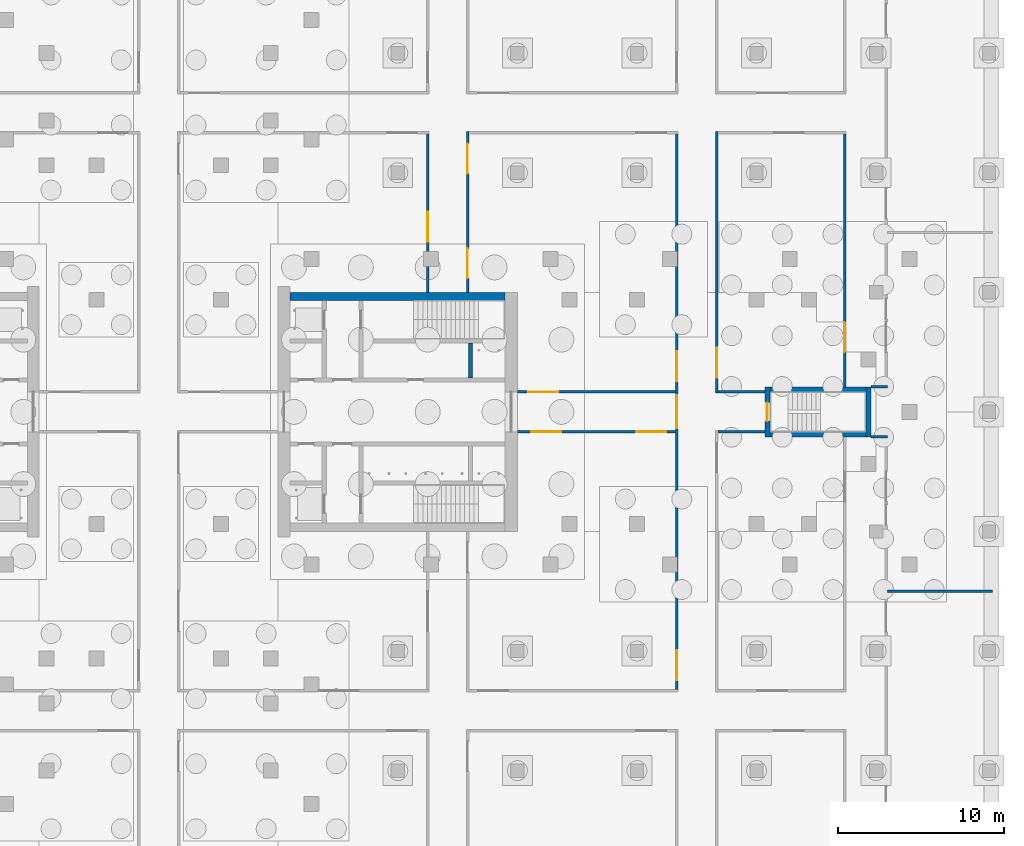
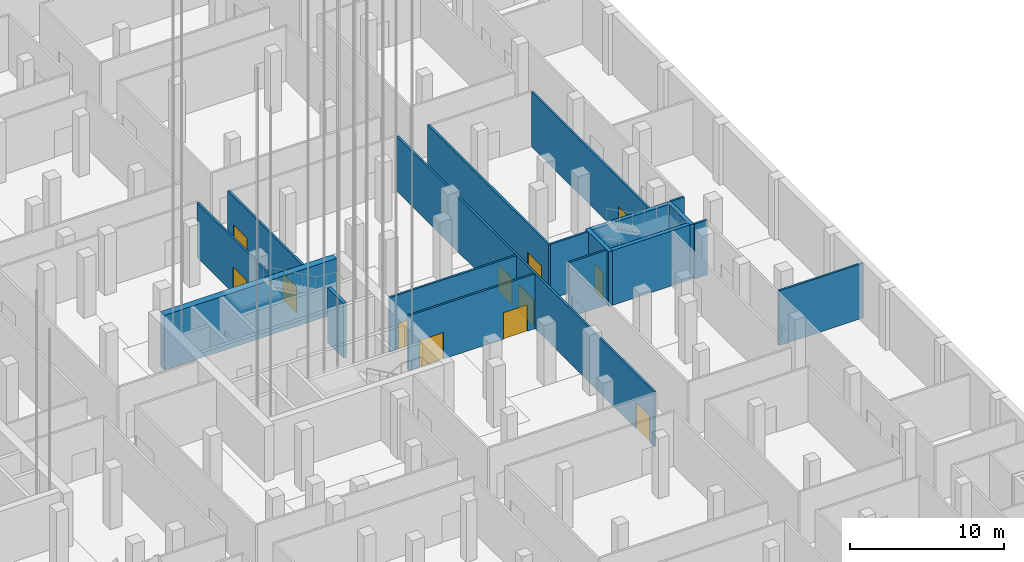
# One storey, part 14 of 54: 18 walls, 12 doors, 12 openings.
"""IFC4 building model written with IfcOpenShell, lengths in metres."""

from ifc_helpers import new_model, si_unit, direction, frame, frame_2d, origin, place, context, subcontext, project, spatial, rectangle, extrude, material, layer, layer_set, type_object, element, fill, save


model = new_model("IFC4")

# Units and contexts
model_context = context("Model", 3, precision=1e-05, world=origin(), true_north=direction((0.0, 1.0)))
body_context = subcontext(model_context, "Body", "Model", "MODEL_VIEW")
ifc_project = project(units=[si_unit("LENGTHUNIT", "METRE"), si_unit("AREAUNIT", "SQUARE_METRE"), si_unit("VOLUMEUNIT", "CUBIC_METRE"), si_unit("PLANEANGLEUNIT", "RADIAN"), si_unit("MASSUNIT", "GRAM", prefix="KILO")], contexts=[model_context])

# Site, building, storey
site_placement = place(None, origin())
site = spatial("IfcSite", under=ifc_project, at=site_placement, CompositionType="ELEMENT")
building_placement = place(site_placement, origin())
building = spatial("IfcBuilding", under=site, at=building_placement, Name="Fustian Cross Tower", CompositionType="ELEMENT")
storey_placement = place(building_placement, frame((0.0, 0.0, -4.800048828125)))
storey = spatial("IfcBuildingStorey", under=building, at=storey_placement, Name="B1", CompositionType="ELEMENT", Elevation=-4.800048828125)

# Wall, opening, door
ifc_material_1 = material(Name="Plasterboard on steel stud", Category="steel")
ifc_layer_1 = layer(ifc_material_1, 0.14990234375)
ifc_layer_set_1 = layer_set([ifc_layer_1], Name="Plasterboard on steel stud")
wall_type_1 = type_object("IfcWallType", Name="COMPARTMENT WALL 150 EI 60", PredefinedType="PARTITIONING", material=ifc_layer_set_1)
wall_1_placement = place(storey_placement, frame((16.199951171875, 7.199951171875, 0.0), z_axis=(0.0, 0.0, 1.0), x_axis=(0.0, 1.0, 0.0)))
wall_1 = element("IfcWall", 1, at=wall_1_placement, inside=storey, type_object=wall_type_1, Name="Partition 127", PredefinedType="PARTITIONING", context=body_context, shape_type="SweptSolid", body=[
    extrude(rectangle(XDim=9.525146484375, YDim=0.14990234375, at=frame_2d((4.7626953125, 0.0))), origin(), (0.0, 0.0, 1.0), 4.35009765625),
])
opening_1_placement = place(wall_1_placement, frame((3.050048828125, 0.0, 0.0)))
opening_1 = element("IfcOpeningElement", 2, at=opening_1_placement, cuts=wall_1, Name="Opening D01051", PredefinedType="OPENING", context=body_context, shape_type="SweptSolid", body=[
    extrude(rectangle(XDim=1.800048828125, YDim=2.10009765625, at=frame_2d((0.89990234375, 1.050048828125))), frame((0.0, 0.0849609375, 0.0), z_axis=(0.0, -1.0, 0.0), x_axis=(1.0, 0.0, 0.0)), (0.0, 0.0, 1.0), 0.169921875),
])
ifc_material_2 = material(Name="Timber fire door set", Category="wood")
door_type_1 = type_object("IfcDoorType", Name="FIRE DOUBLE DOOR 1800 FD60S", OperationType="DOUBLE_DOOR_DOUBLE_SWING", PredefinedType="DOOR", material=ifc_material_2)
door_1_placement = place(opening_1_placement, frame((1.800048828125, 0.0, 0.0), z_axis=(0.0, 0.0, 1.0), x_axis=(-1.0, 0.0, 0.0)))
door_1 = element("IfcDoor", 3, at=door_1_placement, inside=storey, type_object=door_type_1, Name="Door D01051", OperationType="DOUBLE_DOOR_DOUBLE_SWING", OverallHeight=2.10009765625, OverallWidth=1.800048828125, PredefinedType="DOOR", context=body_context, shape_type="SweptSolid", body=[
    extrude(rectangle(XDim=1.800048828125, YDim=2.10009765625, at=frame_2d((0.89990234375, 1.050048828125))), frame((0.0, 0.02490234375, 0.0), z_axis=(0.0, -1.0, 0.0), x_axis=(1.0, 0.0, 0.0)), (0.0, 0.0, 1.0), 0.050048828125),
])
fill(opening_1, door_1)

# Wall, openings, doors
wall_2_placement = place(storey_placement, frame((18.60009765625, 7.199951171875, 0.0), z_axis=(0.0, 0.0, 1.0), x_axis=(0.0, 1.0, 0.0)))
wall_2 = element("IfcWall", 4, at=wall_2_placement, inside=storey, type_object=wall_type_1, Name="Partition 138", PredefinedType="PARTITIONING", context=body_context, shape_type="SweptSolid", body=[
    extrude(rectangle(XDim=9.675048828125, YDim=0.14990234375, at=frame_2d((4.83740234375, 0.0))), origin(), (0.0, 0.0, 1.0), 4.35009765625),
])
opening_2_placement = place(wall_2_placement, frame((0.85009765625, 0.0, 0.0)))
opening_2 = element("IfcOpeningElement", 5, at=opening_2_placement, cuts=wall_2, Name="Opening D01052", PredefinedType="OPENING", context=body_context, shape_type="SweptSolid", body=[
    extrude(rectangle(XDim=1.800048828125, YDim=2.10009765625, at=frame_2d((0.89990234375, 1.050048828125))), frame((0.0, 0.0849609375, 0.0), z_axis=(0.0, -1.0, 0.0), x_axis=(1.0, 0.0, 0.0)), (0.0, 0.0, 1.0), 0.169921875),
])
opening_3_placement = place(wall_2_placement, frame((7.14990234375, 0.0, 0.0)))
opening_3 = element("IfcOpeningElement", 6, at=opening_3_placement, cuts=wall_2, Name="Opening D01053", PredefinedType="OPENING", context=body_context, shape_type="SweptSolid", body=[
    extrude(rectangle(XDim=1.800048828125, YDim=2.10009765625, at=frame_2d((0.89990234375, 1.050048828125))), frame((0.0, 0.0849609375, 0.0), z_axis=(0.0, -1.0, 0.0), x_axis=(1.0, 0.0, 0.0)), (0.0, 0.0, 1.0), 0.169921875),
])
door_2_placement = place(opening_2_placement, origin())
door_2 = element("IfcDoor", 7, at=door_2_placement, inside=storey, type_object=door_type_1, Name="Door D01052", OperationType="DOUBLE_DOOR_DOUBLE_SWING", OverallHeight=2.10009765625, OverallWidth=1.800048828125, PredefinedType="DOOR", context=body_context, shape_type="SweptSolid", body=[
    extrude(rectangle(XDim=1.800048828125, YDim=2.10009765625, at=frame_2d((0.89990234375, 1.050048828125))), frame((0.0, 0.02490234375, 0.0), z_axis=(0.0, -1.0, 0.0), x_axis=(1.0, 0.0, 0.0)), (0.0, 0.0, 1.0), 0.050048828125),
])
fill(opening_2, door_2)
door_3_placement = place(opening_3_placement, origin())
door_3 = element("IfcDoor", 8, at=door_3_placement, inside=storey, type_object=door_type_1, Name="Door D01053", OperationType="DOUBLE_DOOR_DOUBLE_SWING", OverallHeight=2.10009765625, OverallWidth=1.800048828125, PredefinedType="DOOR", context=body_context, shape_type="SweptSolid", body=[
    extrude(rectangle(XDim=1.800048828125, YDim=2.10009765625, at=frame_2d((0.89990234375, 1.050048828125))), frame((0.0, 0.02490234375, 0.0), z_axis=(0.0, -1.0, 0.0), x_axis=(1.0, 0.0, 0.0)), (0.0, 0.0, 1.0), 0.050048828125),
])
fill(opening_3, door_3)

wall_3_placement = place(storey_placement, frame((21.60009765625, -1.199951171875, 0.0), z_axis=(0.0, 0.0, 1.0), x_axis=(1.0, 0.0, 0.0)))
wall_3 = element("IfcWall", 9, at=wall_3_placement, inside=storey, type_object=wall_type_1, Name="Partition 146", PredefinedType="PARTITIONING", context=body_context, shape_type="SweptSolid", body=[
    extrude(rectangle(XDim=9.52490234375, YDim=0.14990234375, at=frame_2d((4.762451171875, 0.0))), origin(), (0.0, 0.0, 1.0), 4.35009765625),
])
opening_4_placement = place(wall_3_placement, frame((0.85009765625, 0.0, 0.0)))
opening_4 = element("IfcOpeningElement", 10, at=opening_4_placement, cuts=wall_3, Name="Opening D01101", PredefinedType="OPENING", context=body_context, shape_type="SweptSolid", body=[
    extrude(rectangle(XDim=1.800048828125, YDim=2.10009765625, at=frame_2d((0.89990234375, 1.050048828125))), frame((0.0, 0.0849609375, 0.0), z_axis=(0.0, -1.0, 0.0), x_axis=(1.0, 0.0, 0.0)), (0.0, 0.0, 1.0), 0.169921875),
])
opening_5_placement = place(wall_3_placement, frame((7.14990234375, 0.0, 0.0)))
opening_5 = element("IfcOpeningElement", 11, at=opening_5_placement, cuts=wall_3, Name="Opening D01102", PredefinedType="OPENING", context=body_context, shape_type="SweptSolid", body=[
    extrude(rectangle(XDim=1.800048828125, YDim=2.10009765625, at=frame_2d((0.89990234375, 1.050048828125))), frame((0.0, 0.0849609375, 0.0), z_axis=(0.0, -1.0, 0.0), x_axis=(1.0, 0.0, 0.0)), (0.0, 0.0, 1.0), 0.169921875),
])
ifc_material_3 = material(Name="Timber fire door set", Category="wood")
door_type_2 = type_object("IfcDoorType", Name="FIRE DOUBLE DOOR 1800 FD30S", OperationType="DOUBLE_DOOR_DOUBLE_SWING", PredefinedType="DOOR", material=ifc_material_3)
door_4_placement = place(opening_4_placement, origin())
door_4 = element("IfcDoor", 12, at=door_4_placement, inside=storey, type_object=door_type_2, Name="Door D01101", OperationType="DOUBLE_DOOR_DOUBLE_SWING", OverallHeight=2.10009765625, OverallWidth=1.800048828125, PredefinedType="DOOR", context=body_context, shape_type="SweptSolid", body=[
    extrude(rectangle(XDim=1.800048828125, YDim=2.10009765625, at=frame_2d((0.89990234375, 1.050048828125))), frame((0.0, 0.02490234375, 0.0), z_axis=(0.0, -1.0, 0.0), x_axis=(1.0, 0.0, 0.0)), (0.0, 0.0, 1.0), 0.050048828125),
])
fill(opening_4, door_4)
door_5_placement = place(opening_5_placement, origin())
door_5 = element("IfcDoor", 13, at=door_5_placement, inside=storey, type_object=door_type_2, Name="Door D01102", OperationType="DOUBLE_DOOR_DOUBLE_SWING", OverallHeight=2.10009765625, OverallWidth=1.800048828125, PredefinedType="DOOR", context=body_context, shape_type="SweptSolid", body=[
    extrude(rectangle(XDim=1.800048828125, YDim=2.10009765625, at=frame_2d((0.89990234375, 1.050048828125))), frame((0.0, 0.02490234375, 0.0), z_axis=(0.0, -1.0, 0.0), x_axis=(1.0, 0.0, 0.0)), (0.0, 0.0, 1.0), 0.050048828125),
])
fill(opening_5, door_5)

# Wall, opening, door
wall_4_placement = place(storey_placement, frame((21.60009765625, 1.199951171875, 0.0), z_axis=(0.0, 0.0, 1.0), x_axis=(1.0, 0.0, 0.0)))
wall_4 = element("IfcWall", 14, at=wall_4_placement, inside=storey, type_object=wall_type_1, Name="Partition 147", PredefinedType="PARTITIONING", context=body_context, shape_type="SweptSolid", body=[
    extrude(rectangle(XDim=9.52490234375, YDim=0.14990234375, at=frame_2d((4.762451171875, 0.0))), origin(), (0.0, 0.0, 1.0), 4.35009765625),
])
opening_6_placement = place(wall_4_placement, frame((0.64990234375, 0.0, 0.0)))
opening_6 = element("IfcOpeningElement", 15, at=opening_6_placement, cuts=wall_4, Name="Opening D01054", PredefinedType="OPENING", context=body_context, shape_type="SweptSolid", body=[
    extrude(rectangle(XDim=1.800048828125, YDim=2.10009765625, at=frame_2d((0.89990234375, 1.050048828125))), frame((0.0, 0.0849609375, 0.0), z_axis=(0.0, -1.0, 0.0), x_axis=(1.0, 0.0, 0.0)), (0.0, 0.0, 1.0), 0.169921875),
])
door_6_placement = place(opening_6_placement, frame((1.800048828125, 0.0, 0.0), z_axis=(0.0, 0.0, 1.0), x_axis=(-1.0, 0.0, 0.0)))
door_6 = element("IfcDoor", 16, at=door_6_placement, inside=storey, type_object=door_type_1, Name="Door D01054", OperationType="DOUBLE_DOOR_DOUBLE_SWING", OverallHeight=2.10009765625, OverallWidth=1.800048828125, PredefinedType="DOOR", context=body_context, shape_type="SweptSolid", body=[
    extrude(rectangle(XDim=1.800048828125, YDim=2.10009765625, at=frame_2d((0.89990234375, 1.050048828125))), frame((0.0, 0.02490234375, 0.0), z_axis=(0.0, -1.0, 0.0), x_axis=(1.0, 0.0, 0.0)), (0.0, 0.0, 1.0), 0.050048828125),
])
fill(opening_6, door_6)

# Wall, openings, doors
wall_5_placement = place(storey_placement, frame((31.199951171875, -16.72509765625, 0.0), z_axis=(0.0, 0.0, 1.0), x_axis=(0.0, 1.0, 0.0)))
wall_5 = element("IfcWall", 17, at=wall_5_placement, inside=storey, type_object=wall_type_1, Name="Partition 152", PredefinedType="PARTITIONING", context=body_context, shape_type="SweptSolid", body=[
    extrude(rectangle(XDim=33.4501953125, YDim=0.14990234375, at=frame_2d((16.72509765625, 0.0))), origin(), (0.0, 0.0, 1.0), 4.35009765625),
])
opening_7_placement = place(wall_5_placement, frame((15.72509765625, 0.0, 0.0)))
opening_7 = element("IfcOpeningElement", 18, at=opening_7_placement, cuts=wall_5, Name="Opening D01003", PredefinedType="OPENING", context=body_context, shape_type="SweptSolid", body=[
    extrude(rectangle(XDim=2.0, YDim=2.10009765625, at=frame_2d((1.0, 1.050048828125))), frame((0.0, 0.0849609375, 0.0), z_axis=(0.0, -1.0, 0.0), x_axis=(1.0, 0.0, 0.0)), (0.0, 0.0, 1.0), 0.169921875),
])
opening_8_placement = place(wall_5_placement, frame((18.574951171875, 0.0, 0.0)))
opening_8 = element("IfcOpeningElement", 19, at=opening_8_placement, cuts=wall_5, Name="Opening D01056", PredefinedType="OPENING", context=body_context, shape_type="SweptSolid", body=[
    extrude(rectangle(XDim=1.800048828125, YDim=2.10009765625, at=frame_2d((0.89990234375, 1.050048828125))), frame((0.0, 0.0849609375, 0.0), z_axis=(0.0, -1.0, 0.0), x_axis=(1.0, 0.0, 0.0)), (0.0, 0.0, 1.0), 0.169921875),
])
opening_9_placement = place(wall_5_placement, frame((0.574951171875, 0.0, 0.0)))
opening_9 = element("IfcOpeningElement", 20, at=opening_9_placement, cuts=wall_5, Name="Opening D01103", PredefinedType="OPENING", context=body_context, shape_type="SweptSolid", body=[
    extrude(rectangle(XDim=1.800048828125, YDim=2.10009765625, at=frame_2d((0.89990234375, 1.050048828125))), frame((0.0, 0.0849609375, 0.0), z_axis=(0.0, -1.0, 0.0), x_axis=(1.0, 0.0, 0.0)), (0.0, 0.0, 1.0), 0.169921875),
])
door_7_placement = place(opening_9_placement, frame((1.800048828125, 0.0, 0.0), z_axis=(0.0, 0.0, 1.0), x_axis=(-1.0, 0.0, 0.0)))
door_7 = element("IfcDoor", 21, at=door_7_placement, inside=storey, type_object=door_type_2, Name="Door D01103", OperationType="DOUBLE_DOOR_DOUBLE_SWING", OverallHeight=2.10009765625, OverallWidth=1.800048828125, PredefinedType="DOOR", context=body_context, shape_type="SweptSolid", body=[
    extrude(rectangle(XDim=1.800048828125, YDim=2.10009765625, at=frame_2d((0.89990234375, 1.050048828125))), frame((0.0, 0.02490234375, 0.0), z_axis=(0.0, -1.0, 0.0), x_axis=(1.0, 0.0, 0.0)), (0.0, 0.0, 1.0), 0.050048828125),
])
fill(opening_9, door_7)
door_8_placement = place(opening_8_placement, frame((1.800048828125, 0.0, 0.0), z_axis=(0.0, 0.0, 1.0), x_axis=(-1.0, 0.0, 0.0)))
door_8 = element("IfcDoor", 22, at=door_8_placement, inside=storey, type_object=door_type_1, Name="Door D01056", OperationType="DOUBLE_DOOR_DOUBLE_SWING", OverallHeight=2.10009765625, OverallWidth=1.800048828125, PredefinedType="DOOR", context=body_context, shape_type="SweptSolid", body=[
    extrude(rectangle(XDim=1.800048828125, YDim=2.10009765625, at=frame_2d((0.89990234375, 1.050048828125))), frame((0.0, 0.02490234375, 0.0), z_axis=(0.0, -1.0, 0.0), x_axis=(1.0, 0.0, 0.0)), (0.0, 0.0, 1.0), 0.050048828125),
])
fill(opening_8, door_8)
ifc_material_4 = material(Name="Timber fire door set", Category="wood")
door_type_3 = type_object("IfcDoorType", Name="FIRE DOUBLE DOOR 2000 FD30S", OperationType="DOUBLE_DOOR_DOUBLE_SWING", PredefinedType="DOOR", material=ifc_material_4)
door_9_placement = place(opening_7_placement, frame((2.0, 0.0, 0.0), z_axis=(0.0, 0.0, 1.0), x_axis=(-1.0, 0.0, 0.0)))
door_9 = element("IfcDoor", 23, at=door_9_placement, inside=storey, type_object=door_type_3, Name="Door D01003", OperationType="DOUBLE_DOOR_DOUBLE_SWING", OverallHeight=2.10009765625, OverallWidth=2.0, PredefinedType="DOOR", context=body_context, shape_type="SweptSolid", body=[
    extrude(rectangle(XDim=2.0, YDim=2.10009765625, at=frame_2d((1.0, 1.050048828125))), frame((0.0, 0.02490234375, 0.0), z_axis=(0.0, -1.0, 0.0), x_axis=(1.0, 0.0, 0.0)), (0.0, 0.0, 1.0), 0.050048828125),
])
fill(opening_7, door_9)

# Wall
wall_6_placement = place(storey_placement, frame((33.675048828125, -1.199951171875, 0.0), z_axis=(0.0, 0.0, 1.0), x_axis=(1.0, 0.0, 0.0)))
element("IfcWall", 24, at=wall_6_placement, inside=storey, type_object=wall_type_1, Name="Partition 163", PredefinedType="PARTITIONING", context=body_context, shape_type="SweptSolid", body=[
    extrude(rectangle(XDim=2.824951171875, YDim=0.14990234375, at=frame_2d((1.41259765625, 0.0))), origin(), (0.0, 0.0, 1.0), 4.35009765625),
])

# Wall, opening, door
wall_7_placement = place(storey_placement, frame((33.60009765625, 1.125, 0.0), z_axis=(0.0, 0.0, 1.0), x_axis=(0.0, 1.0, 0.0)))
wall_7 = element("IfcWall", 25, at=wall_7_placement, inside=storey, type_object=wall_type_1, Name="Partition 164", PredefinedType="PARTITIONING", context=body_context, shape_type="SweptSolid", body=[
    extrude(rectangle(XDim=15.75, YDim=0.14990234375, at=frame_2d((7.875, 0.0))), origin(), (0.0, 0.0, 1.0), 4.35009765625),
])
opening_10_placement = place(wall_7_placement, frame((0.925048828125, 0.0, 0.0)))
opening_10 = element("IfcOpeningElement", 26, at=opening_10_placement, cuts=wall_7, Name="Opening D01158", PredefinedType="OPENING", context=body_context, shape_type="SweptSolid", body=[
    extrude(rectangle(XDim=1.800048828125, YDim=2.10009765625, at=frame_2d((0.89990234375, 1.050048828125))), frame((0.0, 0.0849609375, 0.0), z_axis=(0.0, -1.0, 0.0), x_axis=(1.0, 0.0, 0.0)), (0.0, 0.0, 1.0), 0.169921875),
])
door_10_placement = place(opening_10_placement, origin())
door_10 = element("IfcDoor", 27, at=door_10_placement, inside=storey, type_object=door_type_2, Name="Door D01158", OperationType="DOUBLE_DOOR_DOUBLE_SWING", OverallHeight=2.10009765625, OverallWidth=1.800048828125, PredefinedType="DOOR", context=body_context, shape_type="SweptSolid", body=[
    extrude(rectangle(XDim=1.800048828125, YDim=2.10009765625, at=frame_2d((0.89990234375, 1.050048828125))), frame((0.0, 0.02490234375, 0.0), z_axis=(0.0, -1.0, 0.0), x_axis=(1.0, 0.0, 0.0)), (0.0, 0.0, 1.0), 0.050048828125),
])
fill(opening_10, door_10)

# Wall
wall_8_placement = place(storey_placement, frame((33.675048828125, 1.199951171875, 0.0), z_axis=(0.0, 0.0, 1.0), x_axis=(1.0, 0.0, 0.0)))
element("IfcWall", 28, at=wall_8_placement, inside=storey, type_object=wall_type_1, Name="Partition 165", PredefinedType="PARTITIONING", context=body_context, shape_type="SweptSolid", body=[
    extrude(rectangle(XDim=2.824951171875, YDim=0.14990234375, at=frame_2d((1.41259765625, 0.0))), origin(), (0.0, 0.0, 1.0), 4.35009765625),
])

# Wall, opening, door
wall_9_placement = place(storey_placement, frame((41.300048828125, 1.5, 0.0), z_axis=(0.0, 0.0, 1.0), x_axis=(0.0, 1.0, 0.0)))
wall_9 = element("IfcWall", 29, at=wall_9_placement, inside=storey, type_object=wall_type_1, Name="Partition 178", PredefinedType="PARTITIONING", context=body_context, shape_type="SweptSolid", body=[
    extrude(rectangle(XDim=15.22509765625, YDim=0.14990234375, at=frame_2d((7.612548828125, 0.0))), origin(), (0.0, 0.0, 1.0), 4.35009765625),
])
opening_11_placement = place(wall_9_placement, frame((2.10009765625, 0.0, 0.0)))
opening_11 = element("IfcOpeningElement", 30, at=opening_11_placement, cuts=wall_9, Name="Opening D01160", PredefinedType="OPENING", context=body_context, shape_type="SweptSolid", body=[
    extrude(rectangle(XDim=1.800048828125, YDim=2.10009765625, at=frame_2d((0.89990234375, 1.050048828125))), frame((0.0, 0.0849609375, 0.0), z_axis=(0.0, -1.0, 0.0), x_axis=(1.0, 0.0, 0.0)), (0.0, 0.0, 1.0), 0.169921875),
])
door_11_placement = place(opening_11_placement, frame((1.800048828125, 0.0, 0.0), z_axis=(0.0, 0.0, 1.0), x_axis=(-1.0, 0.0, 0.0)))
door_11 = element("IfcDoor", 31, at=door_11_placement, inside=storey, type_object=door_type_2, Name="Door D01160", OperationType="DOUBLE_DOOR_DOUBLE_SWING", OverallHeight=2.10009765625, OverallWidth=1.800048828125, PredefinedType="DOOR", context=body_context, shape_type="SweptSolid", body=[
    extrude(rectangle(XDim=1.800048828125, YDim=2.10009765625, at=frame_2d((0.89990234375, 1.050048828125))), frame((0.0, 0.02490234375, 0.0), z_axis=(0.0, -1.0, 0.0), x_axis=(1.0, 0.0, 0.0)), (0.0, 0.0, 1.0), 0.050048828125),
])
fill(opening_11, door_11)

# Walls
for number, where, z_axis, x_axis, name in (
    (32, (42.89990234375, -1.5, 0.0), (0.0, 0.0, 1.0), (1.0, 0.0, 0.0), "Partition 181"),
    (33, (42.89990234375, 1.5, 0.0), (0.0, 0.0, 1.0), (1.0, 0.0, 0.0), "Partition 182"),
):
    element("IfcWall", number, at=place(storey_placement, frame(where, z_axis=z_axis, x_axis=x_axis)), inside=storey, type_object=wall_type_1, Name=name, PredefinedType="PARTITIONING", context=body_context, shape_type="SweptSolid", body=[
        extrude(rectangle(XDim=0.97509765625, YDim=0.14990234375, at=frame_2d((0.487548828125, 0.0))), origin(), (0.0, 0.0, 1.0), 4.35009765625),
    ])
wall_10_placement = place(storey_placement, frame((43.875, -10.800048828125, 0.0), z_axis=(0.0, 0.0, 1.0), x_axis=(1.0, 0.0, 0.0)))
element("IfcWall", 34, at=wall_10_placement, inside=storey, type_object=wall_type_1, Name="Partition 189", PredefinedType="PARTITIONING", context=body_context, shape_type="SweptSolid", body=[
    extrude(rectangle(XDim=6.344970703125, YDim=0.14990234375, at=frame_2d((3.17236328125, 0.0))), origin(), (0.0, 0.0, 1.0), 4.35009765625),
])
ifc_material_5 = material(Name="Concrete C80/95", Category="concrete")
ifc_layer_2 = layer(ifc_material_5, 0.5)
ifc_layer_set_2 = layer_set([ifc_layer_2], Name="Concrete C80/95")
wall_type_2 = type_object("IfcWallType", Name="CORE BASE WALL 500 C80/95", PredefinedType="SHEAR", material=ifc_layer_set_2)
wall_11_placement = place(storey_placement, frame((7.89990234375, 6.949951171875, 0.0), z_axis=(0.0, 0.0, 1.0), x_axis=(1.0, 0.0, 0.0)))
element("IfcWall", 35, at=wall_11_placement, inside=storey, type_object=wall_type_2, Name="Core facade wall", PredefinedType="SHEAR", context=body_context, shape_type="SweptSolid", body=[
    extrude(rectangle(XDim=12.9501953125, YDim=0.5, at=frame_2d((6.47509765625, 0.0))), origin(), (0.0, 0.0, 1.0), 4.35009765625),
])
ifc_material_6 = material(Name="Concrete C40/50", Category="concrete")
ifc_layer_3 = layer(ifc_material_6, 0.25)
ifc_layer_set_3 = layer_set([ifc_layer_3], Name="Concrete C40/50")
wall_type_3 = type_object("IfcWallType", Name="SHAFT PARTITION WALL 250 C40/50", PredefinedType="PARTITIONING", material=ifc_layer_set_3)
wall_12_placement = place(storey_placement, frame((18.77490234375, 2.050048828125, 0.0), z_axis=(0.0, 0.0, 1.0), x_axis=(0.0, 1.0, 0.0)))
element("IfcWall", 36, at=wall_12_placement, inside=storey, type_object=wall_type_3, Name="Core shaft wall", PredefinedType="PARTITIONING", context=body_context, shape_type="SweptSolid", body=[
    extrude(rectangle(XDim=2.099853515625, YDim=0.25, at=frame_2d((1.0498046875, 0.0))), origin(), (0.0, 0.0, 1.0), 4.35009765625),
])

# Wall, opening, door
ifc_material_7 = material(Name="Concrete C50/60", Category="concrete")
ifc_layer_4 = layer(ifc_material_7, 0.300048828125)
ifc_layer_set_4 = layer_set([ifc_layer_4], Name="Concrete C50/60")
wall_type_4 = type_object("IfcWallType", Name="STAIR ENCLOSURE WALL 300 C50/60", PredefinedType="SHEAR", material=ifc_layer_set_4)
wall_13_placement = place(storey_placement, frame((36.64990234375, -1.5, 0.0), z_axis=(0.0, 0.0, 1.0), x_axis=(0.0, 1.0, 0.0)))
wall_13 = element("IfcWall", 37, at=wall_13_placement, inside=storey, type_object=wall_type_4, Name="Stair enclosure wall", PredefinedType="SHEAR", context=body_context, shape_type="SweptSolid", body=[
    extrude(rectangle(XDim=3.0, YDim=0.300048828125, at=frame_2d((1.5, 0.0))), origin(), (0.0, 0.0, 1.0), 4.35009765625),
])
opening_12_placement = place(wall_13_placement, frame((0.949951171875, 0.0, 0.0)))
opening_12 = element("IfcOpeningElement", 38, at=opening_12_placement, cuts=wall_13, Name="Opening CD-01-25", PredefinedType="OPENING", context=body_context, shape_type="SweptSolid", body=[
    extrude(rectangle(XDim=1.10009765625, YDim=2.10009765625, at=frame_2d((0.550048828125, 1.050048828125))), frame((0.0, 0.159912109375, 0.0), z_axis=(0.0, -1.0, 0.0), x_axis=(1.0, 0.0, 0.0)), (0.0, 0.0, 1.0), 0.320068359375),
])
ifc_material_8 = material(Name="Steel", Category="steel")
door_type_4 = type_object("IfcDoorType", Name="FIRE DOOR FD60S 1100X2100", OperationType="SINGLE_SWING_LEFT", PredefinedType="DOOR", material=ifc_material_8)
door_12_placement = place(opening_12_placement, frame((1.10009765625, 0.0, 0.0), z_axis=(0.0, 0.0, 1.0), x_axis=(-1.0, 0.0, 0.0)))
door_12 = element("IfcDoor", 39, at=door_12_placement, inside=storey, type_object=door_type_4, Name="Core door CD-01-25", OperationType="SINGLE_SWING_RIGHT", OverallHeight=2.10009765625, OverallWidth=1.10009765625, PredefinedType="DOOR", context=body_context, shape_type="SweptSolid", body=[
    extrude(rectangle(XDim=1.10009765625, YDim=2.10009765625, at=frame_2d((0.550048828125, 1.050048828125))), frame((0.0, 0.02490234375, 0.0), z_axis=(0.0, -1.0, 0.0), x_axis=(1.0, 0.0, 0.0)), (0.0, 0.0, 1.0), 0.050048828125),
])
fill(opening_12, door_12)

# Walls
wall_14_placement = place(storey_placement, frame((42.75, -1.5, 0.0), z_axis=(0.0, 0.0, 1.0), x_axis=(0.0, 1.0, 0.0)))
element("IfcWall", 40, at=wall_14_placement, inside=storey, type_object=wall_type_4, Name="Stair enclosure wall", PredefinedType="SHEAR", context=body_context, shape_type="SweptSolid", body=[
    extrude(rectangle(XDim=3.0, YDim=0.300048828125, at=frame_2d((1.5, 0.0))), origin(), (0.0, 0.0, 1.0), 4.35009765625),
])
for number, where, z_axis, x_axis, name in (
    (41, (36.800048828125, -1.35009765625, 0.0), (0.0, 0.0, 1.0), (1.0, 0.0, 0.0), "Stair enclosure wall"),
    (42, (36.800048828125, 1.35009765625, 0.0), (0.0, 0.0, 1.0), (1.0, 0.0, 0.0), "Stair enclosure wall"),
):
    element("IfcWall", number, at=place(storey_placement, frame(where, z_axis=z_axis, x_axis=x_axis)), inside=storey, type_object=wall_type_4, Name=name, PredefinedType="SHEAR", context=body_context, shape_type="SweptSolid", body=[
        extrude(rectangle(XDim=5.800048828125, YDim=0.300048828125, at=frame_2d((2.89990234375, 0.0))), origin(), (0.0, 0.0, 1.0), 4.35009765625),
    ])

save(model, "model.ifc")
